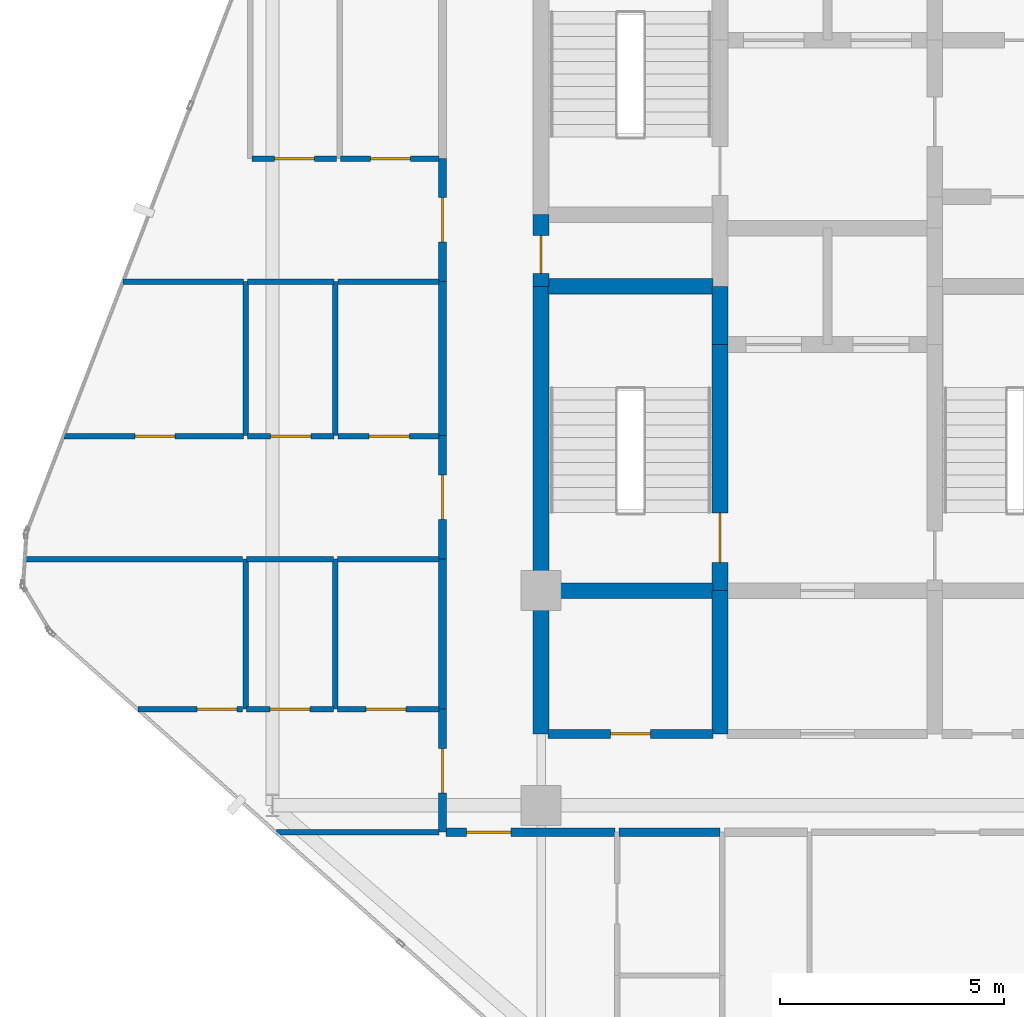
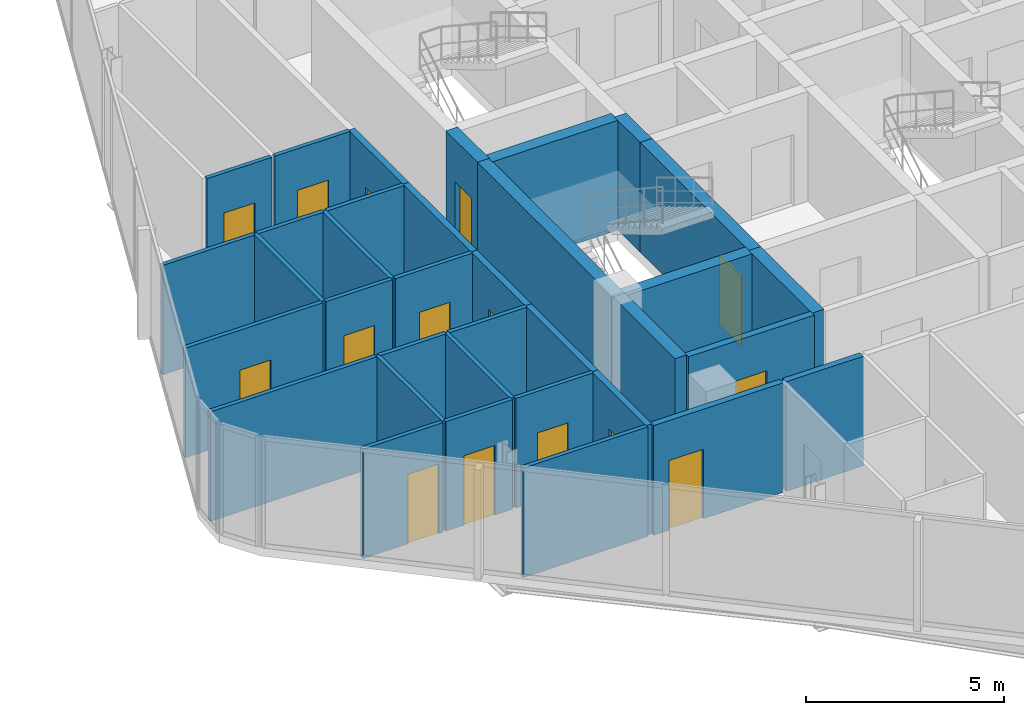
# One storey, part 25 of 31: 35 walls, 15 doors, 15 openings.
"""IFC4 building model written with IfcOpenShell, lengths in metres."""

from ifc_helpers import new_model, si_unit, direction, frame, frame_2d, origin, place, context, subcontext, project, spatial, rectangle, extrude, material, layer, layer_set, type_object, element, fill, save


model = new_model("IFC4")

# Units and contexts
model_context = context("Model", 3, precision=1e-05, world=origin(), true_north=direction((0.0, 1.0)))
body_context = subcontext(model_context, "Body", "Model", "MODEL_VIEW")
ifc_project = project(units=[si_unit("LENGTHUNIT", "METRE"), si_unit("AREAUNIT", "SQUARE_METRE"), si_unit("VOLUMEUNIT", "CUBIC_METRE"), si_unit("PLANEANGLEUNIT", "RADIAN"), si_unit("MASSUNIT", "GRAM", prefix="KILO")], contexts=[model_context])

# Site, building, storey
site_placement = place(None, origin())
site = spatial("IfcSite", under=ifc_project, at=site_placement, CompositionType="ELEMENT")
building_placement = place(site_placement, origin())
building = spatial("IfcBuilding", under=site, at=building_placement, Name="Keshet Zoharim Tower", CompositionType="ELEMENT")
storey_placement = place(building_placement, frame((0.0, 0.0, 133.5)))
storey = spatial("IfcBuildingStorey", under=building, at=storey_placement, Name="L32", CompositionType="ELEMENT", Elevation=133.5)

# Walls
ifc_material_1 = material(Name="Concrete C60/75", Category="concrete")
ifc_layer_1 = layer(ifc_material_1, 0.35009765625)
ifc_layer_set_1 = layer_set([ifc_layer_1], Name="Concrete C60/75")
wall_type_1 = type_object("IfcWallType", Name="WL-CORE-350", PredefinedType="SHEAR", material=ifc_layer_set_1)
wall_1_placement = place(storey_placement, frame((15.0, 19.5, 0.0), z_axis=(0.0, 0.0, 1.0), x_axis=(0.0, 1.0, 0.0)))
element("IfcWall", 1, at=wall_1_placement, inside=storey, type_object=wall_type_1, Name="L32 Core Shear Wall 015", PredefinedType="SHEAR", context=body_context, shape_type="SweptSolid", body=[
    extrude(rectangle(XDim=3.199951171875, YDim=0.35009765625, at=frame_2d((1.60009765625, 0.0))), origin(), (0.0, 0.0, 1.0), 3.385009765625),
])
wall_2_placement = place(storey_placement, frame((15.0, 22.699951171875, 0.0), z_axis=(0.0, 0.0, 1.0), x_axis=(0.0, 1.0, 0.0)))
element("IfcWall", 2, at=wall_2_placement, inside=storey, type_object=wall_type_1, Name="L32 Core Shear Wall 016", PredefinedType="SHEAR", context=body_context, shape_type="SweptSolid", body=[
    extrude(rectangle(XDim=6.800048828125, YDim=0.35009765625, at=frame_2d((3.39990234375, 0.0))), origin(), (0.0, 0.0, 1.0), 3.385009765625),
])

# Wall, opening, door
wall_3_placement = place(storey_placement, frame((15.0, 29.5, 0.0), z_axis=(0.0, 0.0, 1.0), x_axis=(0.0, 1.0, 0.0)))
wall_3 = element("IfcWall", 3, at=wall_3_placement, inside=storey, type_object=wall_type_1, Name="L32 Core Shear Wall 017", PredefinedType="SHEAR", context=body_context, shape_type="SweptSolid", body=[
    extrude(rectangle(XDim=1.60009765625, YDim=0.35009765625, at=frame_2d((0.800048828125, 0.0))), origin(), (0.0, 0.0, 1.0), 3.385009765625),
])
opening_1_placement = place(wall_3_placement, frame((0.287109375, 0.0, 0.0)))
opening_1 = element("IfcOpeningElement", 4, at=opening_1_placement, cuts=wall_3, Name="Opening D-RS85", PredefinedType="OPENING", context=body_context, shape_type="SweptSolid", body=[
    extrude(rectangle(XDim=0.85009765625, YDim=2.10009765625, at=frame_2d((0.425048828125, 1.050048828125))), frame((0.0, 0.18505859375, 0.0), z_axis=(0.0, -1.0, 0.0), x_axis=(1.0, 0.0, 0.0)), (0.0, 0.0, 1.0), 0.3701171875),
])
ifc_material_2 = material(Name="Hardwood Timber", Category="wood")
door_type_1 = type_object("IfcDoorType", Name="DR-RIS-085", OperationType="NOTDEFINED", PredefinedType="DOOR", material=ifc_material_2)
door_1_placement = place(opening_1_placement, origin())
door_1 = element("IfcDoor", 5, at=door_1_placement, inside=storey, type_object=door_type_1, Name="L32 Electrical Riser Access Cupboard Door", OperationType="SINGLE_SWING_RIGHT", OverallHeight=2.10009765625, OverallWidth=0.85009765625, PredefinedType="DOOR", context=body_context, shape_type="SweptSolid", body=[
    extrude(rectangle(XDim=0.85009765625, YDim=2.10009765625, at=frame_2d((0.425048828125, 1.050048828125))), frame((0.0, 0.02490234375, 0.0), z_axis=(0.0, -1.0, 0.0), x_axis=(1.0, 0.0, 0.0)), (0.0, 0.0, 1.0), 0.050048828125),
])
fill(opening_1, door_1)

# Wall
wall_4_placement = place(storey_placement, frame((19.0, 19.5, 0.0), z_axis=(0.0, 0.0, 1.0), x_axis=(0.0, 1.0, 0.0)))
element("IfcWall", 6, at=wall_4_placement, inside=storey, type_object=wall_type_1, Name="L32 Core Shear Wall 023", PredefinedType="SHEAR", context=body_context, shape_type="SweptSolid", body=[
    extrude(rectangle(XDim=3.199951171875, YDim=0.35009765625, at=frame_2d((1.60009765625, 0.0))), origin(), (0.0, 0.0, 1.0), 3.385009765625),
])

# Wall, opening, door
wall_5_placement = place(storey_placement, frame((19.0, 22.699951171875, 0.0), z_axis=(0.0, 0.0, 1.0), x_axis=(0.0, 1.0, 0.0)))
wall_5 = element("IfcWall", 7, at=wall_5_placement, inside=storey, type_object=wall_type_1, Name="L32 Core Shear Wall 024", PredefinedType="SHEAR", context=body_context, shape_type="SweptSolid", body=[
    extrude(rectangle(XDim=5.5, YDim=0.35009765625, at=frame_2d((2.75, 0.0))), origin(), (0.0, 0.0, 1.0), 3.385009765625),
])
opening_2_placement = place(wall_5_placement, frame((0.631103515625, 0.0, 0.0)))
opening_2 = element("IfcOpeningElement", 8, at=opening_2_placement, cuts=wall_5, Name="Opening D-F611", PredefinedType="OPENING", context=body_context, shape_type="SweptSolid", body=[
    extrude(rectangle(XDim=1.10009765625, YDim=2.14990234375, at=frame_2d((0.550048828125, 1.074951171875))), frame((0.0, 0.18505859375, 0.0), z_axis=(0.0, -1.0, 0.0), x_axis=(1.0, 0.0, 0.0)), (0.0, 0.0, 1.0), 0.3701171875),
])
door_type_2 = type_object("IfcDoorType", Name="DR-FD60-110", OperationType="NOTDEFINED", PredefinedType="DOOR", material=ifc_material_2)
door_2_placement = place(opening_2_placement, origin())
door_2 = element("IfcDoor", 9, at=door_2_placement, inside=storey, type_object=door_type_2, Name="L32 Exit Stair ST-01 Fire Door", OperationType="SINGLE_SWING_RIGHT", OverallHeight=2.14990234375, OverallWidth=1.10009765625, PredefinedType="DOOR", context=body_context, shape_type="SweptSolid", body=[
    extrude(rectangle(XDim=1.10009765625, YDim=2.14990234375, at=frame_2d((0.550048828125, 1.074951171875))), frame((0.0, 0.02490234375, 0.0), z_axis=(0.0, -1.0, 0.0), x_axis=(1.0, 0.0, 0.0)), (0.0, 0.0, 1.0), 0.050048828125),
])
fill(opening_2, door_2)

# Walls
wall_6_placement = place(storey_placement, frame((19.0, 28.199951171875, 0.0), z_axis=(0.0, 0.0, 1.0), x_axis=(0.0, 1.0, 0.0)))
element("IfcWall", 10, at=wall_6_placement, inside=storey, type_object=wall_type_1, Name="L32 Core Shear Wall 025", PredefinedType="SHEAR", context=body_context, shape_type="SweptSolid", body=[
    extrude(rectangle(XDim=1.300048828125, YDim=0.35009765625, at=frame_2d((0.64990234375, 0.0))), origin(), (0.0, 0.0, 1.0), 3.385009765625),
])
for number, where, z_axis, x_axis, name in (
    (11, (15.159912109375, 22.699951171875, 0.0), (0.0, 0.0, 1.0), (1.0, 0.0, 0.0), "L32 Core Shear Wall 143"),
    (12, (15.159912109375, 29.5, 0.0), (0.0, 0.0, 1.0), (1.0, 0.0, 0.0), "L32 Core Shear Wall 161"),
):
    element("IfcWall", number, at=place(storey_placement, frame(where, z_axis=z_axis, x_axis=x_axis)), inside=storey, type_object=wall_type_1, Name=name, PredefinedType="SHEAR", context=body_context, shape_type="SweptSolid", body=[
        extrude(rectangle(XDim=3.68017578125, YDim=0.35009765625, at=frame_2d((1.840087890625, 0.0))), origin(), (0.0, 0.0, 1.0), 3.385009765625),
    ])

# Wall, opening, door
ifc_material_3 = material(Name="Gypsum Plasterboard", Category="gypsum")
ifc_layer_2 = layer(ifc_material_3, 0.179931640625)
ifc_layer_set_2 = layer_set([ifc_layer_2], Name="Gypsum Plasterboard")
wall_type_2 = type_object("IfcWallType", Name="WL-CORR-180", PredefinedType="STANDARD", material=ifc_layer_set_2)
wall_7_placement = place(storey_placement, frame((12.800048828125, 17.300048828125, 0.0), z_axis=(0.0, 0.0, 1.0), x_axis=(0.0, 1.0, 0.0)))
wall_7 = element("IfcWall", 13, at=wall_7_placement, inside=storey, type_object=wall_type_2, Name="L32 Interior Wall 007", PredefinedType="STANDARD", context=body_context, shape_type="SweptSolid", body=[
    extrude(rectangle(XDim=2.75, YDim=0.179931640625, at=frame_2d((1.375, 0.0))), origin(), (0.0, 0.0, 1.0), 3.385009765625),
])
opening_3_placement = place(wall_7_placement, frame((0.875, 0.0, 0.0)))
opening_3 = element("IfcOpeningElement", 14, at=opening_3_placement, cuts=wall_7, Name="Opening D-F310", PredefinedType="OPENING", context=body_context, shape_type="SweptSolid", body=[
    extrude(rectangle(XDim=1.0, YDim=2.14990234375, at=frame_2d((0.5, 1.074951171875))), frame((0.0, 0.10009765625, 0.0), z_axis=(0.0, -1.0, 0.0), x_axis=(1.0, 0.0, 0.0)), (0.0, 0.0, 1.0), 0.199951171875),
])
door_type_3 = type_object("IfcDoorType", Name="DR-FD30-100", OperationType="NOTDEFINED", PredefinedType="DOOR", material=ifc_material_2)
door_3_placement = place(opening_3_placement, origin())
door_3 = element("IfcDoor", 15, at=door_3_placement, inside=storey, type_object=door_type_3, Name="Apartment 3208 Entrance Door", OperationType="SINGLE_SWING_LEFT", OverallHeight=2.14990234375, OverallWidth=1.0, PredefinedType="DOOR", context=body_context, shape_type="SweptSolid", body=[
    extrude(rectangle(XDim=1.0, YDim=2.14990234375, at=frame_2d((0.5, 1.074951171875))), frame((0.0, 0.02490234375, 0.0), z_axis=(0.0, -1.0, 0.0), x_axis=(1.0, 0.0, 0.0)), (0.0, 0.0, 1.0), 0.050048828125),
])
fill(opening_3, door_3)

# Wall
wall_8_placement = place(storey_placement, frame((12.800048828125, 20.050048828125, 0.0), z_axis=(0.0, 0.0, 1.0), x_axis=(0.0, 1.0, 0.0)))
element("IfcWall", 16, at=wall_8_placement, inside=storey, type_object=wall_type_2, Name="L32 Interior Wall 008", PredefinedType="STANDARD", context=body_context, shape_type="SweptSolid", body=[
    extrude(rectangle(XDim=3.35986328125, YDim=0.179931640625, at=frame_2d((1.679931640625, 0.0))), origin(), (0.0, 0.0, 1.0), 3.385009765625),
])

# Wall, opening, door
wall_9_placement = place(storey_placement, frame((12.800048828125, 23.409912109375, 0.0), z_axis=(0.0, 0.0, 1.0), x_axis=(0.0, 1.0, 0.0)))
wall_9 = element("IfcWall", 17, at=wall_9_placement, inside=storey, type_object=wall_type_2, Name="L32 Interior Wall 009", PredefinedType="STANDARD", context=body_context, shape_type="SweptSolid", body=[
    extrude(rectangle(XDim=2.75, YDim=0.179931640625, at=frame_2d((1.375, 0.0))), origin(), (0.0, 0.0, 1.0), 3.385009765625),
])
opening_4_placement = place(wall_9_placement, frame((0.875, 0.0, 0.0)))
opening_4 = element("IfcOpeningElement", 18, at=opening_4_placement, cuts=wall_9, Name="Opening D-F310", PredefinedType="OPENING", context=body_context, shape_type="SweptSolid", body=[
    extrude(rectangle(XDim=1.0, YDim=2.14990234375, at=frame_2d((0.5, 1.074951171875))), frame((0.0, 0.10009765625, 0.0), z_axis=(0.0, -1.0, 0.0), x_axis=(1.0, 0.0, 0.0)), (0.0, 0.0, 1.0), 0.199951171875),
])
door_4_placement = place(opening_4_placement, origin())
door_4 = element("IfcDoor", 19, at=door_4_placement, inside=storey, type_object=door_type_3, Name="Apartment 3209 Entrance Door", OperationType="SINGLE_SWING_RIGHT", OverallHeight=2.14990234375, OverallWidth=1.0, PredefinedType="DOOR", context=body_context, shape_type="SweptSolid", body=[
    extrude(rectangle(XDim=1.0, YDim=2.14990234375, at=frame_2d((0.5, 1.074951171875))), frame((0.0, 0.02490234375, 0.0), z_axis=(0.0, -1.0, 0.0), x_axis=(1.0, 0.0, 0.0)), (0.0, 0.0, 1.0), 0.050048828125),
])
fill(opening_4, door_4)

# Wall
wall_10_placement = place(storey_placement, frame((12.800048828125, 26.159912109375, 0.0), z_axis=(0.0, 0.0, 1.0), x_axis=(0.0, 1.0, 0.0)))
element("IfcWall", 20, at=wall_10_placement, inside=storey, type_object=wall_type_2, Name="L32 Interior Wall 010", PredefinedType="STANDARD", context=body_context, shape_type="SweptSolid", body=[
    extrude(rectangle(XDim=3.4501953125, YDim=0.179931640625, at=frame_2d((1.72509765625, 0.0))), origin(), (0.0, 0.0, 1.0), 3.385009765625),
])

# Wall, opening, door
wall_11_placement = place(storey_placement, frame((12.800048828125, 29.610107421875, 0.0), z_axis=(0.0, 0.0, 1.0), x_axis=(0.0, 1.0, 0.0)))
wall_11 = element("IfcWall", 21, at=wall_11_placement, inside=storey, type_object=wall_type_2, Name="L32 Interior Wall 011", PredefinedType="STANDARD", context=body_context, shape_type="SweptSolid", body=[
    extrude(rectangle(XDim=2.75, YDim=0.179931640625, at=frame_2d((1.375, 0.0))), origin(), (0.0, 0.0, 1.0), 3.385009765625),
])
opening_5_placement = place(wall_11_placement, frame((0.875, 0.0, 0.0)))
opening_5 = element("IfcOpeningElement", 22, at=opening_5_placement, cuts=wall_11, Name="Opening D-F310", PredefinedType="OPENING", context=body_context, shape_type="SweptSolid", body=[
    extrude(rectangle(XDim=1.0, YDim=2.14990234375, at=frame_2d((0.5, 1.074951171875))), frame((0.0, 0.10009765625, 0.0), z_axis=(0.0, -1.0, 0.0), x_axis=(1.0, 0.0, 0.0)), (0.0, 0.0, 1.0), 0.199951171875),
])
door_5_placement = place(opening_5_placement, origin())
door_5 = element("IfcDoor", 23, at=door_5_placement, inside=storey, type_object=door_type_3, Name="Apartment 3210 Entrance Door", OperationType="SINGLE_SWING_LEFT", OverallHeight=2.14990234375, OverallWidth=1.0, PredefinedType="DOOR", context=body_context, shape_type="SweptSolid", body=[
    extrude(rectangle(XDim=1.0, YDim=2.14990234375, at=frame_2d((0.5, 1.074951171875))), frame((0.0, 0.02490234375, 0.0), z_axis=(0.0, -1.0, 0.0), x_axis=(1.0, 0.0, 0.0)), (0.0, 0.0, 1.0), 0.050048828125),
])
fill(opening_5, door_5)

wall_12_placement = place(storey_placement, frame((12.875, 17.300048828125, 0.0), z_axis=(0.0, 0.0, 1.0), x_axis=(1.0, 0.0, 0.0)))
wall_12 = element("IfcWall", 24, at=wall_12_placement, inside=storey, type_object=wall_type_2, Name="L32 Interior Wall 123", PredefinedType="STANDARD", context=body_context, shape_type="SweptSolid", body=[
    extrude(rectangle(XDim=3.780029296875, YDim=0.179931640625, at=frame_2d((1.89013671875, 0.0))), origin(), (0.0, 0.0, 1.0), 3.385009765625),
])
opening_6_placement = place(wall_12_placement, frame((0.4580078125, 0.0, 0.0)))
opening_6 = element("IfcOpeningElement", 25, at=opening_6_placement, cuts=wall_12, Name="Opening D-F310", PredefinedType="OPENING", context=body_context, shape_type="SweptSolid", body=[
    extrude(rectangle(XDim=1.0, YDim=2.14990234375, at=frame_2d((0.5, 1.074951171875))), frame((0.0, 0.10009765625, 0.0), z_axis=(0.0, -1.0, 0.0), x_axis=(1.0, 0.0, 0.0)), (0.0, 0.0, 1.0), 0.199951171875),
])
door_6_placement = place(opening_6_placement, origin())
door_6 = element("IfcDoor", 26, at=door_6_placement, inside=storey, type_object=door_type_3, Name="Apartment 3201 Entrance Door", OperationType="SINGLE_SWING_LEFT", OverallHeight=2.14990234375, OverallWidth=1.0, PredefinedType="DOOR", context=body_context, shape_type="SweptSolid", body=[
    extrude(rectangle(XDim=1.0, YDim=2.14990234375, at=frame_2d((0.5, 1.074951171875))), frame((0.0, 0.02490234375, 0.0), z_axis=(0.0, -1.0, 0.0), x_axis=(1.0, 0.0, 0.0)), (0.0, 0.0, 1.0), 0.050048828125),
])
fill(opening_6, door_6)

# Wall
wall_13_placement = place(storey_placement, frame((16.7451171875, 17.300048828125, 0.0), z_axis=(0.0, 0.0, 1.0), x_axis=(1.0, 0.0, 0.0)))
element("IfcWall", 27, at=wall_13_placement, inside=storey, type_object=wall_type_2, Name="L32 Interior Wall 124", PredefinedType="STANDARD", context=body_context, shape_type="SweptSolid", body=[
    extrude(rectangle(XDim=2.259765625, YDim=0.179931640625, at=frame_2d((1.1298828125, 0.0))), origin(), (0.0, 0.0, 1.0), 3.385009765625),
])

# Wall, opening, door
ifc_material_4 = material(Name="Concrete C50/60", Category="concrete")
ifc_layer_3 = layer(ifc_material_4, 0.199951171875)
ifc_layer_set_3 = layer_set([ifc_layer_3], Name="Concrete C50/60")
wall_type_3 = type_object("IfcWallType", Name="WL-FIRE-200", PredefinedType="STANDARD", material=ifc_layer_set_3)
wall_14_placement = place(storey_placement, frame((15.159912109375, 19.5, 0.0), z_axis=(0.0, 0.0, 1.0), x_axis=(1.0, 0.0, 0.0)))
wall_14 = element("IfcWall", 28, at=wall_14_placement, inside=storey, type_object=wall_type_3, Name="L32 Interior Wall 135", PredefinedType="STANDARD", context=body_context, shape_type="SweptSolid", body=[
    extrude(rectangle(XDim=3.68017578125, YDim=0.199951171875, at=frame_2d((1.840087890625, 0.0))), origin(), (0.0, 0.0, 1.0), 3.385009765625),
])
opening_7_placement = place(wall_14_placement, frame((1.389892578125, 0.0, 0.0)))
opening_7 = element("IfcOpeningElement", 29, at=opening_7_placement, cuts=wall_14, Name="Opening D-F690", PredefinedType="OPENING", context=body_context, shape_type="SweptSolid", body=[
    extrude(rectangle(XDim=0.89990234375, YDim=2.14990234375, at=frame_2d((0.449951171875, 1.074951171875))), frame((0.0, 0.10986328125, 0.0), z_axis=(0.0, -1.0, 0.0), x_axis=(1.0, 0.0, 0.0)), (0.0, 0.0, 1.0), 0.219970703125),
])
door_type_4 = type_object("IfcDoorType", Name="DR-FD60-090", OperationType="NOTDEFINED", PredefinedType="DOOR", material=ifc_material_2)
door_7_placement = place(opening_7_placement, origin())
door_7 = element("IfcDoor", 30, at=door_7_placement, inside=storey, type_object=door_type_4, Name="L32 Pram Store Door", OperationType="SINGLE_SWING_RIGHT", OverallHeight=2.14990234375, OverallWidth=0.89990234375, PredefinedType="DOOR", context=body_context, shape_type="SweptSolid", body=[
    extrude(rectangle(XDim=0.89990234375, YDim=2.14990234375, at=frame_2d((0.449951171875, 1.074951171875))), frame((0.0, 0.02490234375, 0.0), z_axis=(0.0, -1.0, 0.0), x_axis=(1.0, 0.0, 0.0)), (0.0, 0.0, 1.0), 0.050048828125),
])
fill(opening_7, door_7)

# Walls
ifc_layer_4 = layer(ifc_material_3, 0.1201171875)
ifc_layer_set_4 = layer_set([ifc_layer_4], Name="Gypsum Plasterboard")
wall_type_4 = type_object("IfcWallType", Name="WL-PART-120", PredefinedType="PARTITIONING", material=ifc_layer_set_4)
wall_15_placement = place(storey_placement, frame((8.39990234375, 20.050048828125, 0.0), z_axis=(0.0, 0.0, 1.0), x_axis=(0.0, 1.0, 0.0)))
element("IfcWall", 31, at=wall_15_placement, inside=storey, type_object=wall_type_4, Name="L32 Interior Wall 001", PredefinedType="PARTITIONING", context=body_context, shape_type="SweptSolid", body=[
    extrude(rectangle(XDim=3.35986328125, YDim=0.1201171875, at=frame_2d((1.679931640625, 0.0))), origin(), (0.0, 0.0, 1.0), 3.385009765625),
])
wall_16_placement = place(storey_placement, frame((8.39990234375, 26.159912109375, 0.0), z_axis=(0.0, 0.0, 1.0), x_axis=(0.0, 1.0, 0.0)))
element("IfcWall", 32, at=wall_16_placement, inside=storey, type_object=wall_type_4, Name="L32 Interior Wall 002", PredefinedType="PARTITIONING", context=body_context, shape_type="SweptSolid", body=[
    extrude(rectangle(XDim=3.4501953125, YDim=0.1201171875, at=frame_2d((1.72509765625, 0.0))), origin(), (0.0, 0.0, 1.0), 3.385009765625),
])
wall_17_placement = place(storey_placement, frame((9.0849609375, 17.300048828125, 0.0), z_axis=(0.0, 0.0, 1.0), x_axis=(1.0, 0.0, 0.0)))
element("IfcWall", 33, at=wall_17_placement, inside=storey, type_object=wall_type_4, Name="L32 Interior Wall 122", PredefinedType="PARTITIONING", context=body_context, shape_type="SweptSolid", body=[
    extrude(rectangle(XDim=3.64013671875, YDim=0.1201171875, at=frame_2d((1.820068359375, 0.0))), origin(), (0.0, 0.0, 1.0), 3.385009765625),
])

# Wall, opening, door
wall_18_placement = place(storey_placement, frame((5.990966796875, 20.050048828125, 0.0), z_axis=(0.0, 0.0, 1.0), x_axis=(1.0, 0.0, 0.0)))
wall_18 = element("IfcWall", 34, at=wall_18_placement, inside=storey, type_object=wall_type_4, Name="L32 Interior Wall 140", PredefinedType="PARTITIONING", context=body_context, shape_type="SweptSolid", body=[
    extrude(rectangle(XDim=2.340087890625, YDim=0.1201171875, at=frame_2d((1.169921875, 0.0))), origin(), (0.0, 0.0, 1.0), 3.385009765625),
])
opening_8_placement = place(wall_18_placement, frame((1.320068359375, 0.0, 0.0)))
opening_8 = element("IfcOpeningElement", 35, at=opening_8_placement, cuts=wall_18, Name="Opening D-IN90", PredefinedType="OPENING", context=body_context, shape_type="SweptSolid", body=[
    extrude(rectangle(XDim=0.89990234375, YDim=2.14990234375, at=frame_2d((0.449951171875, 1.074951171875))), frame((0.0, 0.070068359375, 0.0), z_axis=(0.0, -1.0, 0.0), x_axis=(1.0, 0.0, 0.0)), (0.0, 0.0, 1.0), 0.14013671875),
])
door_type_5 = type_object("IfcDoorType", Name="DR-INT-090", OperationType="NOTDEFINED", PredefinedType="DOOR", material=ifc_material_2)
door_8_placement = place(opening_8_placement, origin())
door_8 = element("IfcDoor", 36, at=door_8_placement, inside=storey, type_object=door_type_5, Name="Apartment 3208 Bedroom 1 Door", OperationType="SINGLE_SWING_RIGHT", OverallHeight=2.14990234375, OverallWidth=0.89990234375, PredefinedType="DOOR", context=body_context, shape_type="SweptSolid", body=[
    extrude(rectangle(XDim=0.89990234375, YDim=2.14990234375, at=frame_2d((0.449951171875, 1.074951171875))), frame((0.0, 0.02490234375, 0.0), z_axis=(0.0, -1.0, 0.0), x_axis=(1.0, 0.0, 0.0)), (0.0, 0.0, 1.0), 0.050048828125),
])
fill(opening_8, door_8)

wall_19_placement = place(storey_placement, frame((8.4208984375, 20.050048828125, 0.0), z_axis=(0.0, 0.0, 1.0), x_axis=(1.0, 0.0, 0.0)))
wall_19 = element("IfcWall", 37, at=wall_19_placement, inside=storey, type_object=wall_type_4, Name="L32 Interior Wall 141", PredefinedType="PARTITIONING", context=body_context, shape_type="SweptSolid", body=[
    extrude(rectangle(XDim=1.945068359375, YDim=0.1201171875, at=frame_2d((0.97265625, 0.0))), origin(), (0.0, 0.0, 1.0), 3.385009765625),
])
opening_9_placement = place(wall_19_placement, frame((0.52197265625, 0.0, 0.0)))
opening_9 = element("IfcOpeningElement", 38, at=opening_9_placement, cuts=wall_19, Name="Opening D-IN90", PredefinedType="OPENING", context=body_context, shape_type="SweptSolid", body=[
    extrude(rectangle(XDim=0.89990234375, YDim=2.14990234375, at=frame_2d((0.449951171875, 1.074951171875))), frame((0.0, 0.070068359375, 0.0), z_axis=(0.0, -1.0, 0.0), x_axis=(1.0, 0.0, 0.0)), (0.0, 0.0, 1.0), 0.14013671875),
])
door_9_placement = place(opening_9_placement, origin())
door_9 = element("IfcDoor", 39, at=door_9_placement, inside=storey, type_object=door_type_5, Name="Apartment 3208 Kitchen Door", OperationType="SINGLE_SWING_LEFT", OverallHeight=2.14990234375, OverallWidth=0.89990234375, PredefinedType="DOOR", context=body_context, shape_type="SweptSolid", body=[
    extrude(rectangle(XDim=0.89990234375, YDim=2.14990234375, at=frame_2d((0.449951171875, 1.074951171875))), frame((0.0, 0.02490234375, 0.0), z_axis=(0.0, -1.0, 0.0), x_axis=(1.0, 0.0, 0.0)), (0.0, 0.0, 1.0), 0.050048828125),
])
fill(opening_9, door_9)

# Walls
wall_20_placement = place(storey_placement, frame((3.468994140625, 23.39990234375, 0.0), z_axis=(0.0, 0.0, 1.0), x_axis=(1.0, 0.0, 0.0)))
element("IfcWall", 40, at=wall_20_placement, inside=storey, type_object=wall_type_4, Name="L32 Interior Wall 148", PredefinedType="PARTITIONING", context=body_context, shape_type="SweptSolid", body=[
    extrude(rectangle(XDim=4.862060546875, YDim=0.1201171875, at=frame_2d((2.43115234375, 0.0))), origin(), (0.0, 0.0, 1.0), 3.385009765625),
])
wall_21_placement = place(storey_placement, frame((8.4208984375, 23.39990234375, 0.0), z_axis=(0.0, 0.0, 1.0), x_axis=(1.0, 0.0, 0.0)))
element("IfcWall", 41, at=wall_21_placement, inside=storey, type_object=wall_type_4, Name="L32 Interior Wall 149", PredefinedType="PARTITIONING", context=body_context, shape_type="SweptSolid", body=[
    extrude(rectangle(XDim=1.945068359375, YDim=0.1201171875, at=frame_2d((0.97265625, 0.0))), origin(), (0.0, 0.0, 1.0), 3.385009765625),
])

# Wall, opening, door
wall_22_placement = place(storey_placement, frame((4.3369140625, 26.14990234375, 0.0), z_axis=(0.0, 0.0, 1.0), x_axis=(1.0, 0.0, 0.0)))
wall_22 = element("IfcWall", 42, at=wall_22_placement, inside=storey, type_object=wall_type_4, Name="L32 Interior Wall 153", PredefinedType="PARTITIONING", context=body_context, shape_type="SweptSolid", body=[
    extrude(rectangle(XDim=4.01220703125, YDim=0.1201171875, at=frame_2d((2.006103515625, 0.0))), origin(), (0.0, 0.0, 1.0), 3.385009765625),
])
opening_10_placement = place(wall_22_placement, frame((1.5859375, 0.0, 0.0)))
opening_10 = element("IfcOpeningElement", 43, at=opening_10_placement, cuts=wall_22, Name="Opening D-IN90", PredefinedType="OPENING", context=body_context, shape_type="SweptSolid", body=[
    extrude(rectangle(XDim=0.89990234375, YDim=2.14990234375, at=frame_2d((0.449951171875, 1.074951171875))), frame((0.0, 0.070068359375, 0.0), z_axis=(0.0, -1.0, 0.0), x_axis=(1.0, 0.0, 0.0)), (0.0, 0.0, 1.0), 0.14013671875),
])
door_10_placement = place(opening_10_placement, origin())
door_10 = element("IfcDoor", 44, at=door_10_placement, inside=storey, type_object=door_type_5, Name="Apartment 3209 Bedroom 1 Door", OperationType="SINGLE_SWING_RIGHT", OverallHeight=2.14990234375, OverallWidth=0.89990234375, PredefinedType="DOOR", context=body_context, shape_type="SweptSolid", body=[
    extrude(rectangle(XDim=0.89990234375, YDim=2.14990234375, at=frame_2d((0.449951171875, 1.074951171875))), frame((0.0, 0.02490234375, 0.0), z_axis=(0.0, -1.0, 0.0), x_axis=(1.0, 0.0, 0.0)), (0.0, 0.0, 1.0), 0.050048828125),
])
fill(opening_10, door_10)

wall_23_placement = place(storey_placement, frame((8.43896484375, 26.14990234375, 0.0), z_axis=(0.0, 0.0, 1.0), x_axis=(1.0, 0.0, 0.0)))
wall_23 = element("IfcWall", 45, at=wall_23_placement, inside=storey, type_object=wall_type_4, Name="L32 Interior Wall 154", PredefinedType="PARTITIONING", context=body_context, shape_type="SweptSolid", body=[
    extrude(rectangle(XDim=1.93701171875, YDim=0.1201171875, at=frame_2d((0.968505859375, 0.0))), origin(), (0.0, 0.0, 1.0), 3.385009765625),
])
opening_11_placement = place(wall_23_placement, frame((0.51806640625, 0.0, 0.0)))
opening_11 = element("IfcOpeningElement", 46, at=opening_11_placement, cuts=wall_23, Name="Opening D-IN90", PredefinedType="OPENING", context=body_context, shape_type="SweptSolid", body=[
    extrude(rectangle(XDim=0.89990234375, YDim=2.14990234375, at=frame_2d((0.449951171875, 1.074951171875))), frame((0.0, 0.070068359375, 0.0), z_axis=(0.0, -1.0, 0.0), x_axis=(1.0, 0.0, 0.0)), (0.0, 0.0, 1.0), 0.14013671875),
])
door_11_placement = place(opening_11_placement, origin())
door_11 = element("IfcDoor", 47, at=door_11_placement, inside=storey, type_object=door_type_5, Name="Apartment 3209 Kitchen Door", OperationType="SINGLE_SWING_LEFT", OverallHeight=2.14990234375, OverallWidth=0.89990234375, PredefinedType="DOOR", context=body_context, shape_type="SweptSolid", body=[
    extrude(rectangle(XDim=0.89990234375, YDim=2.14990234375, at=frame_2d((0.449951171875, 1.074951171875))), frame((0.0, 0.02490234375, 0.0), z_axis=(0.0, -1.0, 0.0), x_axis=(1.0, 0.0, 0.0)), (0.0, 0.0, 1.0), 0.050048828125),
])
fill(opening_11, door_11)

# Walls
wall_24_placement = place(storey_placement, frame((5.6640625, 29.60009765625, 0.0), z_axis=(0.0, 0.0, 1.0), x_axis=(1.0, 0.0, 0.0)))
element("IfcWall", 48, at=wall_24_placement, inside=storey, type_object=wall_type_4, Name="L32 Interior Wall 163", PredefinedType="PARTITIONING", context=body_context, shape_type="SweptSolid", body=[
    extrude(rectangle(XDim=2.68505859375, YDim=0.1201171875, at=frame_2d((1.342529296875, 0.0))), origin(), (0.0, 0.0, 1.0), 3.385009765625),
])
wall_25_placement = place(storey_placement, frame((8.43896484375, 29.60009765625, 0.0), z_axis=(0.0, 0.0, 1.0), x_axis=(1.0, 0.0, 0.0)))
element("IfcWall", 49, at=wall_25_placement, inside=storey, type_object=wall_type_4, Name="L32 Interior Wall 164", PredefinedType="PARTITIONING", context=body_context, shape_type="SweptSolid", body=[
    extrude(rectangle(XDim=1.93701171875, YDim=0.1201171875, at=frame_2d((0.968505859375, 0.0))), origin(), (0.0, 0.0, 1.0), 3.385009765625),
])

# Wall, opening, door
wall_26_placement = place(storey_placement, frame((8.544921875, 32.35009765625, 0.0), z_axis=(0.0, 0.0, 1.0), x_axis=(1.0, 0.0, 0.0)))
wall_26 = element("IfcWall", 50, at=wall_26_placement, inside=storey, type_object=wall_type_4, Name="L32 Interior Wall 170", PredefinedType="PARTITIONING", context=body_context, shape_type="SweptSolid", body=[
    extrude(rectangle(XDim=1.88818359375, YDim=0.1201171875, at=frame_2d((0.944091796875, 0.0))), origin(), (0.0, 0.0, 1.0), 3.385009765625),
])
opening_12_placement = place(wall_26_placement, frame((0.493896484375, 0.0, 0.0)))
opening_12 = element("IfcOpeningElement", 51, at=opening_12_placement, cuts=wall_26, Name="Opening D-IN90", PredefinedType="OPENING", context=body_context, shape_type="SweptSolid", body=[
    extrude(rectangle(XDim=0.89990234375, YDim=2.14990234375, at=frame_2d((0.449951171875, 1.074951171875))), frame((0.0, 0.070068359375, 0.0), z_axis=(0.0, -1.0, 0.0), x_axis=(1.0, 0.0, 0.0)), (0.0, 0.0, 1.0), 0.14013671875),
])
door_12_placement = place(opening_12_placement, origin())
door_12 = element("IfcDoor", 52, at=door_12_placement, inside=storey, type_object=door_type_5, Name="Apartment 3210 Kitchen Door", OperationType="SINGLE_SWING_LEFT", OverallHeight=2.14990234375, OverallWidth=0.89990234375, PredefinedType="DOOR", context=body_context, shape_type="SweptSolid", body=[
    extrude(rectangle(XDim=0.89990234375, YDim=2.14990234375, at=frame_2d((0.449951171875, 1.074951171875))), frame((0.0, 0.02490234375, 0.0), z_axis=(0.0, -1.0, 0.0), x_axis=(1.0, 0.0, 0.0)), (0.0, 0.0, 1.0), 0.050048828125),
])
fill(opening_12, door_12)

# Walls
ifc_layer_5 = layer(ifc_material_3, 0.1201171875)
ifc_layer_set_5 = layer_set([ifc_layer_5], Name="Gypsum Plasterboard")
wall_type_5 = type_object("IfcWallType", Name="WL-WET-120", PredefinedType="PARTITIONING", material=ifc_layer_set_5)
wall_27_placement = place(storey_placement, frame((10.39990234375, 20.050048828125, 0.0), z_axis=(0.0, 0.0, 1.0), x_axis=(0.0, 1.0, 0.0)))
element("IfcWall", 53, at=wall_27_placement, inside=storey, type_object=wall_type_5, Name="L32 Interior Wall 004", PredefinedType="PARTITIONING", context=body_context, shape_type="SweptSolid", body=[
    extrude(rectangle(XDim=3.35986328125, YDim=0.1201171875, at=frame_2d((1.679931640625, 0.0))), origin(), (0.0, 0.0, 1.0), 3.385009765625),
])
wall_28_placement = place(storey_placement, frame((10.39990234375, 26.159912109375, 0.0), z_axis=(0.0, 0.0, 1.0), x_axis=(0.0, 1.0, 0.0)))
element("IfcWall", 54, at=wall_28_placement, inside=storey, type_object=wall_type_5, Name="L32 Interior Wall 005", PredefinedType="PARTITIONING", context=body_context, shape_type="SweptSolid", body=[
    extrude(rectangle(XDim=3.4501953125, YDim=0.1201171875, at=frame_2d((1.72509765625, 0.0))), origin(), (0.0, 0.0, 1.0), 3.385009765625),
])

# Wall, opening, door
wall_29_placement = place(storey_placement, frame((10.4560546875, 20.050048828125, 0.0), z_axis=(0.0, 0.0, 1.0), x_axis=(1.0, 0.0, 0.0)))
wall_29 = element("IfcWall", 55, at=wall_29_placement, inside=storey, type_object=wall_type_5, Name="L32 Interior Wall 142", PredefinedType="PARTITIONING", context=body_context, shape_type="SweptSolid", body=[
    extrude(rectangle(XDim=2.26904296875, YDim=0.1201171875, at=frame_2d((1.134521484375, 0.0))), origin(), (0.0, 0.0, 1.0), 3.385009765625),
])
opening_13_placement = place(wall_29_placement, frame((0.62890625, 0.0, 0.0)))
opening_13 = element("IfcOpeningElement", 56, at=opening_13_placement, cuts=wall_29, Name="Opening D-WT90", PredefinedType="OPENING", context=body_context, shape_type="SweptSolid", body=[
    extrude(rectangle(XDim=0.89990234375, YDim=2.10009765625, at=frame_2d((0.449951171875, 1.050048828125))), frame((0.0, 0.070068359375, 0.0), z_axis=(0.0, -1.0, 0.0), x_axis=(1.0, 0.0, 0.0)), (0.0, 0.0, 1.0), 0.14013671875),
])
door_type_6 = type_object("IfcDoorType", Name="DR-WET-090", OperationType="NOTDEFINED", PredefinedType="DOOR", material=ifc_material_2)
door_13_placement = place(opening_13_placement, origin())
door_13 = element("IfcDoor", 57, at=door_13_placement, inside=storey, type_object=door_type_6, Name="Apartment 3208 Bathroom Door", OperationType="SINGLE_SWING_RIGHT", OverallHeight=2.10009765625, OverallWidth=0.89990234375, PredefinedType="DOOR", context=body_context, shape_type="SweptSolid", body=[
    extrude(rectangle(XDim=0.89990234375, YDim=2.10009765625, at=frame_2d((0.449951171875, 1.050048828125))), frame((0.0, 0.02490234375, 0.0), z_axis=(0.0, -1.0, 0.0), x_axis=(1.0, 0.0, 0.0)), (0.0, 0.0, 1.0), 0.050048828125),
])
fill(opening_13, door_13)

# Wall
wall_30_placement = place(storey_placement, frame((10.4560546875, 23.39990234375, 0.0), z_axis=(0.0, 0.0, 1.0), x_axis=(1.0, 0.0, 0.0)))
element("IfcWall", 58, at=wall_30_placement, inside=storey, type_object=wall_type_5, Name="L32 Interior Wall 150", PredefinedType="PARTITIONING", context=body_context, shape_type="SweptSolid", body=[
    extrude(rectangle(XDim=2.26904296875, YDim=0.1201171875, at=frame_2d((1.134521484375, 0.0))), origin(), (0.0, 0.0, 1.0), 3.385009765625),
])

# Wall, opening, door
wall_31_placement = place(storey_placement, frame((10.466064453125, 26.14990234375, 0.0), z_axis=(0.0, 0.0, 1.0), x_axis=(1.0, 0.0, 0.0)))
wall_31 = element("IfcWall", 59, at=wall_31_placement, inside=storey, type_object=wall_type_5, Name="L32 Interior Wall 155", PredefinedType="PARTITIONING", context=body_context, shape_type="SweptSolid", body=[
    extrude(rectangle(XDim=2.259033203125, YDim=0.1201171875, at=frame_2d((1.12939453125, 0.0))), origin(), (0.0, 0.0, 1.0), 3.385009765625),
])
opening_14_placement = place(wall_31_placement, frame((0.695068359375, 0.0, 0.0)))
opening_14 = element("IfcOpeningElement", 60, at=opening_14_placement, cuts=wall_31, Name="Opening D-WT90", PredefinedType="OPENING", context=body_context, shape_type="SweptSolid", body=[
    extrude(rectangle(XDim=0.89990234375, YDim=2.10009765625, at=frame_2d((0.449951171875, 1.050048828125))), frame((0.0, 0.070068359375, 0.0), z_axis=(0.0, -1.0, 0.0), x_axis=(1.0, 0.0, 0.0)), (0.0, 0.0, 1.0), 0.14013671875),
])
door_14_placement = place(opening_14_placement, origin())
door_14 = element("IfcDoor", 61, at=door_14_placement, inside=storey, type_object=door_type_6, Name="Apartment 3209 Bathroom Door", OperationType="SINGLE_SWING_RIGHT", OverallHeight=2.10009765625, OverallWidth=0.89990234375, PredefinedType="DOOR", context=body_context, shape_type="SweptSolid", body=[
    extrude(rectangle(XDim=0.89990234375, YDim=2.10009765625, at=frame_2d((0.449951171875, 1.050048828125))), frame((0.0, 0.02490234375, 0.0), z_axis=(0.0, -1.0, 0.0), x_axis=(1.0, 0.0, 0.0)), (0.0, 0.0, 1.0), 0.050048828125),
])
fill(opening_14, door_14)

# Wall
wall_32_placement = place(storey_placement, frame((10.466064453125, 29.60009765625, 0.0), z_axis=(0.0, 0.0, 1.0), x_axis=(1.0, 0.0, 0.0)))
element("IfcWall", 62, at=wall_32_placement, inside=storey, type_object=wall_type_5, Name="L32 Interior Wall 165", PredefinedType="PARTITIONING", context=body_context, shape_type="SweptSolid", body=[
    extrude(rectangle(XDim=2.259033203125, YDim=0.1201171875, at=frame_2d((1.12939453125, 0.0))), origin(), (0.0, 0.0, 1.0), 3.385009765625),
])

# Wall, opening, door
wall_33_placement = place(storey_placement, frame((10.52294921875, 32.35009765625, 0.0), z_axis=(0.0, 0.0, 1.0), x_axis=(1.0, 0.0, 0.0)))
wall_33 = element("IfcWall", 63, at=wall_33_placement, inside=storey, type_object=wall_type_5, Name="L32 Interior Wall 171", PredefinedType="PARTITIONING", context=body_context, shape_type="SweptSolid", body=[
    extrude(rectangle(XDim=2.2021484375, YDim=0.1201171875, at=frame_2d((1.10107421875, 0.0))), origin(), (0.0, 0.0, 1.0), 3.385009765625),
])
opening_15_placement = place(wall_33_placement, frame((0.666015625, 0.0, 0.0)))
opening_15 = element("IfcOpeningElement", 64, at=opening_15_placement, cuts=wall_33, Name="Opening D-WT90", PredefinedType="OPENING", context=body_context, shape_type="SweptSolid", body=[
    extrude(rectangle(XDim=0.89990234375, YDim=2.10009765625, at=frame_2d((0.449951171875, 1.050048828125))), frame((0.0, 0.070068359375, 0.0), z_axis=(0.0, -1.0, 0.0), x_axis=(1.0, 0.0, 0.0)), (0.0, 0.0, 1.0), 0.14013671875),
])
door_15_placement = place(opening_15_placement, origin())
door_15 = element("IfcDoor", 65, at=door_15_placement, inside=storey, type_object=door_type_6, Name="Apartment 3210 Bathroom Door", OperationType="SINGLE_SWING_RIGHT", OverallHeight=2.10009765625, OverallWidth=0.89990234375, PredefinedType="DOOR", context=body_context, shape_type="SweptSolid", body=[
    extrude(rectangle(XDim=0.89990234375, YDim=2.10009765625, at=frame_2d((0.449951171875, 1.050048828125))), frame((0.0, 0.02490234375, 0.0), z_axis=(0.0, -1.0, 0.0), x_axis=(1.0, 0.0, 0.0)), (0.0, 0.0, 1.0), 0.050048828125),
])
fill(opening_15, door_15)

save(model, "model.ifc")
